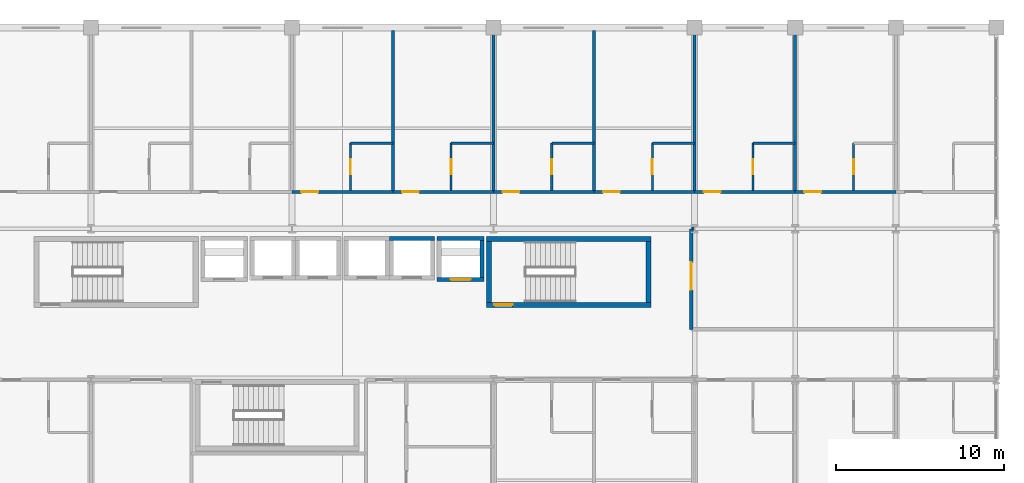
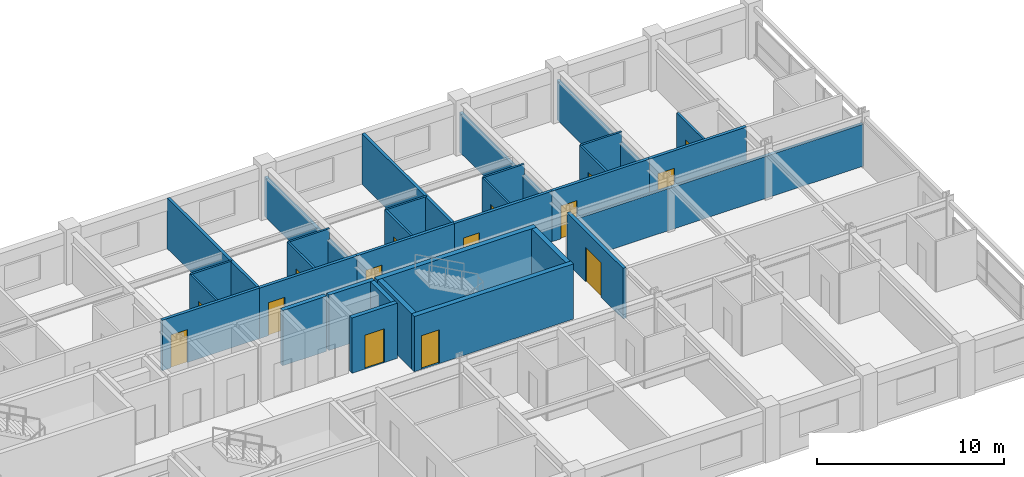
# One storey, part 19 of 22: 32 walls, 15 doors, 15 openings.
"""IFC4 building model written with IfcOpenShell, lengths in metres."""

from ifc_helpers import new_model, si_unit, direction, frame, frame_2d, origin, place, context, subcontext, project, spatial, rectangle, extrude, material, layer, layer_set, type_object, element, fill, save


model = new_model("IFC4")

# Units and contexts
model_context = context("Model", 3, precision=1e-05, world=origin(), true_north=direction((0.0, 1.0)))
body_context = subcontext(model_context, "Body", "Model", "MODEL_VIEW")
ifc_project = project(units=[si_unit("LENGTHUNIT", "METRE"), si_unit("AREAUNIT", "SQUARE_METRE"), si_unit("VOLUMEUNIT", "CUBIC_METRE"), si_unit("PLANEANGLEUNIT", "RADIAN"), si_unit("MASSUNIT", "GRAM", prefix="KILO")], contexts=[model_context])

# Site, building, storey
site_placement = place(None, origin())
site = spatial("IfcSite", under=ifc_project, at=site_placement, CompositionType="ELEMENT")
building_placement = place(site_placement, origin())
building = spatial("IfcBuilding", under=site, at=building_placement, Name="Kaldorvane Square Convention Centre", CompositionType="ELEMENT")
storey_placement = place(building_placement, frame((0.0, 0.0, 31.199996948242188)))
storey = spatial("IfcBuildingStorey", under=building, at=storey_placement, Name="L06", CompositionType="ELEMENT", Elevation=31.199996948242188)

# Wall, opening, door
ifc_material_1 = material(Name="Fire-Rated Gypsum Board on Acoustic Steel Studs", Category="steel")
ifc_layer_1 = layer(ifc_material_1, 0.125)
ifc_layer_set_1 = layer_set([ifc_layer_1], Name="Fire-Rated Gypsum Board on Acoustic Steel Studs")
wall_type_1 = type_object("IfcWallType", Name="WL-BATH-125", PredefinedType="PARTITIONING", material=ifc_layer_set_1)
wall_1_placement = place(storey_placement, frame((57.47999572753906, 107.28999328613281, 0.0), z_axis=(0.0, 0.0, 1.0), x_axis=(0.0, 1.0, 0.0)))
wall_1 = element("IfcWall", 1, at=wall_1_placement, inside=storey, type_object=wall_type_1, Name="En-Suite 606 West Wall", PredefinedType="PARTITIONING", context=body_context, shape_type="SweptSolid", body=[
    extrude(rectangle(XDim=2.8100128173828125, YDim=0.125, at=frame_2d((1.404998779296875, 0.0))), origin(), (0.0, 0.0, 1.0), 3.290008544921875),
])
opening_1_placement = place(wall_1_placement, frame((0.9499969482421875, 0.0, 0.0)))
opening_1 = element("IfcOpeningElement", 2, at=opening_1_placement, cuts=wall_1, Name="Opening ID-12", PredefinedType="OPENING", context=body_context, shape_type="SweptSolid", body=[
    extrude(rectangle(XDim=0.9199981689453125, YDim=2.100006103515625, at=frame_2d((0.459991455078125, 1.0500030517578125))), frame((0.0, 0.0774993896484375, 0.0), z_axis=(0.0, -1.0, 0.0), x_axis=(1.0, 0.0, 0.0)), (0.0, 0.0, 1.0), 0.154998779296875),
])
ifc_material_2 = material(Name="Architectural Solid-Core White Oak")
door_type_1 = type_object("IfcDoorType", Name="DR-BATH-0920X2100", OperationType="SINGLE_SWING_RIGHT", PredefinedType="DOOR", material=ifc_material_2)
door_1_placement = place(opening_1_placement, origin())
door_1 = element("IfcDoor", 3, at=door_1_placement, inside=storey, type_object=door_type_1, Name="En-Suite Bathroom 606 Door", OperationType="SINGLE_SWING_RIGHT", OverallHeight=2.100006103515625, OverallWidth=0.9199981689453125, PredefinedType="DOOR", context=body_context, shape_type="SweptSolid", body=[
    extrude(rectangle(XDim=0.9199981689453125, YDim=2.100006103515625, at=frame_2d((0.459991455078125, 1.0500030517578125))), frame((0.0, 0.024993896484375, 0.0), z_axis=(0.0, -1.0, 0.0), x_axis=(1.0, 0.0, 0.0)), (0.0, 0.0, 1.0), 0.0500030517578125),
])
fill(opening_1, door_1)

# Wall
wall_2_placement = place(storey_placement, frame((57.47999572753906, 110.10000610351562, 0.0), z_axis=(0.0, 0.0, 1.0), x_axis=(1.0, 0.0, 0.0)))
element("IfcWall", 4, at=wall_2_placement, inside=storey, type_object=wall_type_1, Name="En-Suite 606 North Wall", PredefinedType="PARTITIONING", context=body_context, shape_type="SweptSolid", body=[
    extrude(rectangle(XDim=2.5200042724609375, YDim=0.125, at=frame_2d((1.260009765625, 0.0))), origin(), (0.0, 0.0, 1.0), 3.290008544921875),
])

# Wall, opening, door
wall_3_placement = place(storey_placement, frame((63.47999572753906, 107.28999328613281, 0.0), z_axis=(0.0, 0.0, 1.0), x_axis=(0.0, 1.0, 0.0)))
wall_3 = element("IfcWall", 5, at=wall_3_placement, inside=storey, type_object=wall_type_1, Name="En-Suite 607 West Wall", PredefinedType="PARTITIONING", context=body_context, shape_type="SweptSolid", body=[
    extrude(rectangle(XDim=2.8100128173828125, YDim=0.125, at=frame_2d((1.404998779296875, 0.0))), origin(), (0.0, 0.0, 1.0), 3.290008544921875),
])
opening_2_placement = place(wall_3_placement, frame((0.9499969482421875, 0.0, 0.0)))
opening_2 = element("IfcOpeningElement", 6, at=opening_2_placement, cuts=wall_3, Name="Opening ID-12", PredefinedType="OPENING", context=body_context, shape_type="SweptSolid", body=[
    extrude(rectangle(XDim=0.9199981689453125, YDim=2.100006103515625, at=frame_2d((0.459991455078125, 1.0500030517578125))), frame((0.0, 0.0774993896484375, 0.0), z_axis=(0.0, -1.0, 0.0), x_axis=(1.0, 0.0, 0.0)), (0.0, 0.0, 1.0), 0.154998779296875),
])
door_2_placement = place(opening_2_placement, origin())
door_2 = element("IfcDoor", 7, at=door_2_placement, inside=storey, type_object=door_type_1, Name="En-Suite Bathroom 607 Door", OperationType="SINGLE_SWING_RIGHT", OverallHeight=2.100006103515625, OverallWidth=0.9199981689453125, PredefinedType="DOOR", context=body_context, shape_type="SweptSolid", body=[
    extrude(rectangle(XDim=0.9199981689453125, YDim=2.100006103515625, at=frame_2d((0.459991455078125, 1.0500030517578125))), frame((0.0, 0.024993896484375, 0.0), z_axis=(0.0, -1.0, 0.0), x_axis=(1.0, 0.0, 0.0)), (0.0, 0.0, 1.0), 0.0500030517578125),
])
fill(opening_2, door_2)

# Wall
wall_4_placement = place(storey_placement, frame((63.47999572753906, 110.10000610351562, 0.0), z_axis=(0.0, 0.0, 1.0), x_axis=(1.0, 0.0, 0.0)))
element("IfcWall", 8, at=wall_4_placement, inside=storey, type_object=wall_type_1, Name="En-Suite 607 North Wall", PredefinedType="PARTITIONING", context=body_context, shape_type="SweptSolid", body=[
    extrude(rectangle(XDim=2.5200042724609375, YDim=0.125, at=frame_2d((1.260009765625, 0.0))), origin(), (0.0, 0.0, 1.0), 3.290008544921875),
])

# Wall, opening, door
wall_5_placement = place(storey_placement, frame((69.47999572753906, 107.28999328613281, 0.0), z_axis=(0.0, 0.0, 1.0), x_axis=(0.0, 1.0, 0.0)))
wall_5 = element("IfcWall", 9, at=wall_5_placement, inside=storey, type_object=wall_type_1, Name="En-Suite 608 West Wall", PredefinedType="PARTITIONING", context=body_context, shape_type="SweptSolid", body=[
    extrude(rectangle(XDim=2.8100128173828125, YDim=0.125, at=frame_2d((1.404998779296875, 0.0))), origin(), (0.0, 0.0, 1.0), 3.290008544921875),
])
opening_3_placement = place(wall_5_placement, frame((0.9499969482421875, 0.0, 0.0)))
opening_3 = element("IfcOpeningElement", 10, at=opening_3_placement, cuts=wall_5, Name="Opening ID-12", PredefinedType="OPENING", context=body_context, shape_type="SweptSolid", body=[
    extrude(rectangle(XDim=0.9199981689453125, YDim=2.100006103515625, at=frame_2d((0.459991455078125, 1.0500030517578125))), frame((0.0, 0.0774993896484375, 0.0), z_axis=(0.0, -1.0, 0.0), x_axis=(1.0, 0.0, 0.0)), (0.0, 0.0, 1.0), 0.154998779296875),
])
door_3_placement = place(opening_3_placement, origin())
door_3 = element("IfcDoor", 11, at=door_3_placement, inside=storey, type_object=door_type_1, Name="En-Suite Bathroom 608 Door", OperationType="SINGLE_SWING_RIGHT", OverallHeight=2.100006103515625, OverallWidth=0.9199981689453125, PredefinedType="DOOR", context=body_context, shape_type="SweptSolid", body=[
    extrude(rectangle(XDim=0.9199981689453125, YDim=2.100006103515625, at=frame_2d((0.459991455078125, 1.0500030517578125))), frame((0.0, 0.024993896484375, 0.0), z_axis=(0.0, -1.0, 0.0), x_axis=(1.0, 0.0, 0.0)), (0.0, 0.0, 1.0), 0.0500030517578125),
])
fill(opening_3, door_3)

# Wall
wall_6_placement = place(storey_placement, frame((69.47999572753906, 110.10000610351562, 0.0), z_axis=(0.0, 0.0, 1.0), x_axis=(1.0, 0.0, 0.0)))
element("IfcWall", 12, at=wall_6_placement, inside=storey, type_object=wall_type_1, Name="En-Suite 608 North Wall", PredefinedType="PARTITIONING", context=body_context, shape_type="SweptSolid", body=[
    extrude(rectangle(XDim=2.5200042724609375, YDim=0.125, at=frame_2d((1.260009765625, 0.0))), origin(), (0.0, 0.0, 1.0), 3.290008544921875),
])

# Wall, opening, door
wall_7_placement = place(storey_placement, frame((75.47999572753906, 107.28999328613281, 0.0), z_axis=(0.0, 0.0, 1.0), x_axis=(0.0, 1.0, 0.0)))
wall_7 = element("IfcWall", 13, at=wall_7_placement, inside=storey, type_object=wall_type_1, Name="En-Suite 609 West Wall", PredefinedType="PARTITIONING", context=body_context, shape_type="SweptSolid", body=[
    extrude(rectangle(XDim=2.8100128173828125, YDim=0.125, at=frame_2d((1.404998779296875, 0.0))), origin(), (0.0, 0.0, 1.0), 3.290008544921875),
])
opening_4_placement = place(wall_7_placement, frame((0.9499969482421875, 0.0, 0.0)))
opening_4 = element("IfcOpeningElement", 14, at=opening_4_placement, cuts=wall_7, Name="Opening ID-12", PredefinedType="OPENING", context=body_context, shape_type="SweptSolid", body=[
    extrude(rectangle(XDim=0.9199981689453125, YDim=2.100006103515625, at=frame_2d((0.459991455078125, 1.0500030517578125))), frame((0.0, 0.0774993896484375, 0.0), z_axis=(0.0, -1.0, 0.0), x_axis=(1.0, 0.0, 0.0)), (0.0, 0.0, 1.0), 0.154998779296875),
])
door_4_placement = place(opening_4_placement, origin())
door_4 = element("IfcDoor", 15, at=door_4_placement, inside=storey, type_object=door_type_1, Name="En-Suite Bathroom 609 Door", OperationType="SINGLE_SWING_RIGHT", OverallHeight=2.100006103515625, OverallWidth=0.9199981689453125, PredefinedType="DOOR", context=body_context, shape_type="SweptSolid", body=[
    extrude(rectangle(XDim=0.9199981689453125, YDim=2.100006103515625, at=frame_2d((0.459991455078125, 1.0500030517578125))), frame((0.0, 0.024993896484375, 0.0), z_axis=(0.0, -1.0, 0.0), x_axis=(1.0, 0.0, 0.0)), (0.0, 0.0, 1.0), 0.0500030517578125),
])
fill(opening_4, door_4)

# Wall
wall_8_placement = place(storey_placement, frame((75.47999572753906, 110.10000610351562, 0.0), z_axis=(0.0, 0.0, 1.0), x_axis=(1.0, 0.0, 0.0)))
element("IfcWall", 16, at=wall_8_placement, inside=storey, type_object=wall_type_1, Name="En-Suite 609 North Wall", PredefinedType="PARTITIONING", context=body_context, shape_type="SweptSolid", body=[
    extrude(rectangle(XDim=2.5200042724609375, YDim=0.125, at=frame_2d((1.260009765625, 0.0))), origin(), (0.0, 0.0, 1.0), 3.290008544921875),
])

# Wall, opening, door
wall_9_placement = place(storey_placement, frame((81.47999572753906, 107.28999328613281, 0.0), z_axis=(0.0, 0.0, 1.0), x_axis=(0.0, 1.0, 0.0)))
wall_9 = element("IfcWall", 17, at=wall_9_placement, inside=storey, type_object=wall_type_1, Name="En-Suite 610 West Wall", PredefinedType="PARTITIONING", context=body_context, shape_type="SweptSolid", body=[
    extrude(rectangle(XDim=2.8100128173828125, YDim=0.125, at=frame_2d((1.404998779296875, 0.0))), origin(), (0.0, 0.0, 1.0), 3.290008544921875),
])
opening_5_placement = place(wall_9_placement, frame((0.9499969482421875, 0.0, 0.0)))
opening_5 = element("IfcOpeningElement", 18, at=opening_5_placement, cuts=wall_9, Name="Opening ID-12", PredefinedType="OPENING", context=body_context, shape_type="SweptSolid", body=[
    extrude(rectangle(XDim=0.9199981689453125, YDim=2.100006103515625, at=frame_2d((0.459991455078125, 1.0500030517578125))), frame((0.0, 0.0774993896484375, 0.0), z_axis=(0.0, -1.0, 0.0), x_axis=(1.0, 0.0, 0.0)), (0.0, 0.0, 1.0), 0.154998779296875),
])
door_5_placement = place(opening_5_placement, origin())
door_5 = element("IfcDoor", 19, at=door_5_placement, inside=storey, type_object=door_type_1, Name="En-Suite Bathroom 610 Door", OperationType="SINGLE_SWING_RIGHT", OverallHeight=2.100006103515625, OverallWidth=0.9199981689453125, PredefinedType="DOOR", context=body_context, shape_type="SweptSolid", body=[
    extrude(rectangle(XDim=0.9199981689453125, YDim=2.100006103515625, at=frame_2d((0.459991455078125, 1.0500030517578125))), frame((0.0, 0.024993896484375, 0.0), z_axis=(0.0, -1.0, 0.0), x_axis=(1.0, 0.0, 0.0)), (0.0, 0.0, 1.0), 0.0500030517578125),
])
fill(opening_5, door_5)

# Wall
wall_10_placement = place(storey_placement, frame((81.47999572753906, 110.10000610351562, 0.0), z_axis=(0.0, 0.0, 1.0), x_axis=(1.0, 0.0, 0.0)))
element("IfcWall", 20, at=wall_10_placement, inside=storey, type_object=wall_type_1, Name="En-Suite 610 North Wall", PredefinedType="PARTITIONING", context=body_context, shape_type="SweptSolid", body=[
    extrude(rectangle(XDim=2.5200042724609375, YDim=0.125, at=frame_2d((1.260009765625, 0.0))), origin(), (0.0, 0.0, 1.0), 3.290008544921875),
])

# Wall, opening, door
wall_11_placement = place(storey_placement, frame((87.47999572753906, 107.28999328613281, 0.0), z_axis=(0.0, 0.0, 1.0), x_axis=(0.0, 1.0, 0.0)))
wall_11 = element("IfcWall", 21, at=wall_11_placement, inside=storey, type_object=wall_type_1, Name="En-Suite 611 West Wall", PredefinedType="PARTITIONING", context=body_context, shape_type="SweptSolid", body=[
    extrude(rectangle(XDim=2.8100128173828125, YDim=0.125, at=frame_2d((1.404998779296875, 0.0))), origin(), (0.0, 0.0, 1.0), 3.290008544921875),
])
opening_6_placement = place(wall_11_placement, frame((0.9499969482421875, 0.0, 0.0)))
opening_6 = element("IfcOpeningElement", 22, at=opening_6_placement, cuts=wall_11, Name="Opening ID-12", PredefinedType="OPENING", context=body_context, shape_type="SweptSolid", body=[
    extrude(rectangle(XDim=0.9199981689453125, YDim=2.100006103515625, at=frame_2d((0.459991455078125, 1.0500030517578125))), frame((0.0, 0.0774993896484375, 0.0), z_axis=(0.0, -1.0, 0.0), x_axis=(1.0, 0.0, 0.0)), (0.0, 0.0, 1.0), 0.154998779296875),
])
door_6_placement = place(opening_6_placement, origin())
door_6 = element("IfcDoor", 23, at=door_6_placement, inside=storey, type_object=door_type_1, Name="En-Suite Bathroom 611 Door", OperationType="SINGLE_SWING_RIGHT", OverallHeight=2.100006103515625, OverallWidth=0.9199981689453125, PredefinedType="DOOR", context=body_context, shape_type="SweptSolid", body=[
    extrude(rectangle(XDim=0.9199981689453125, YDim=2.100006103515625, at=frame_2d((0.459991455078125, 1.0500030517578125))), frame((0.0, 0.024993896484375, 0.0), z_axis=(0.0, -1.0, 0.0), x_axis=(1.0, 0.0, 0.0)), (0.0, 0.0, 1.0), 0.0500030517578125),
])
fill(opening_6, door_6)

# Wall
ifc_layer_2 = layer(ifc_material_1, 0.1999969482421875)
ifc_layer_set_2 = layer_set([ifc_layer_2], Name="Fire-Rated Gypsum Board on Acoustic Steel Studs")
wall_type_2 = type_object("IfcWallType", Name="WL-CORR-200", PredefinedType="PARTITIONING", material=ifc_layer_set_2)
wall_12_placement = place(storey_placement, frame((95.91499328613281, 105.0, 0.0), z_axis=(0.0, 0.0, 1.0), x_axis=(-1.0, 0.0, 0.0)))
element("IfcWall", 24, at=wall_12_placement, inside=storey, type_object=wall_type_2, Name="East Square View Lounge (L06) N Wall", PredefinedType="PARTITIONING", context=body_context, shape_type="SweptSolid", body=[
    extrude(rectangle(XDim=18.114990234375, YDim=0.1999969482421875, at=frame_2d((9.0574951171875, 0.0))), origin(), (0.0, 0.0, 1.0), 2.7360076904296875),
])

# Wall, opening, door
wall_13_placement = place(storey_placement, frame((77.80000305175781, 105.0, 0.0), z_axis=(0.0, 0.0, 1.0), x_axis=(0.0, -1.0, 0.0)))
wall_13 = element("IfcWall", 25, at=wall_13_placement, inside=storey, type_object=wall_type_2, Name="East Square View Lounge (L06) W Wall", PredefinedType="PARTITIONING", context=body_context, shape_type="SweptSolid", body=[
    extrude(rectangle(XDim=6.0, YDim=0.1999969482421875, at=frame_2d((3.0, 0.0))), origin(), (0.0, 0.0, 1.0), 3.290008544921875),
])
opening_7_placement = place(wall_13_placement, frame((2.0, 0.0, 0.0)))
opening_7 = element("IfcOpeningElement", 26, at=opening_7_placement, cuts=wall_13, Name="Opening ID-16", PredefinedType="OPENING", context=body_context, shape_type="SweptSolid", body=[
    extrude(rectangle(XDim=1.649993896484375, YDim=2.25, at=frame_2d((0.8249969482421875, 1.125))), frame((0.0, 0.114990234375, 0.0), z_axis=(0.0, -1.0, 0.0), x_axis=(1.0, 0.0, 0.0)), (0.0, 0.0, 1.0), 0.2299957275390625),
])
ifc_material_3 = material(Name="Acoustic Laminated Glass in Aluminum Frame", Category="aluminium")
door_type_2 = type_object("IfcDoorType", Name="DR-GL-1650X2250", OperationType="DOUBLE_DOOR_SINGLE_SWING", PredefinedType="DOOR", material=ifc_material_3)
door_7_placement = place(opening_7_placement, origin())
door_7 = element("IfcDoor", 27, at=door_7_placement, inside=storey, type_object=door_type_2, Name="East Square View Lounge (L06) Door 1", OperationType="DOUBLE_DOOR_SINGLE_SWING", OverallHeight=2.25, OverallWidth=1.649993896484375, PredefinedType="DOOR", context=body_context, shape_type="SweptSolid", body=[
    extrude(rectangle(XDim=1.649993896484375, YDim=2.25, at=frame_2d((0.8249969482421875, 1.125))), frame((0.0, 0.024993896484375, 0.0), z_axis=(0.0, -1.0, 0.0), x_axis=(1.0, 0.0, 0.0)), (0.0, 0.0, 1.0), 0.0500030517578125),
])
fill(opening_7, door_7)

ifc_material_4 = material(Name="Concrete f'c = 55 MPa (Normalweight)", Category="concrete")
ifc_layer_3 = layer(ifc_material_4, 0.3000030517578125)
ifc_layer_set_3 = layer_set([ifc_layer_3], Name="Concrete f'c = 55 MPa (Normalweight)")
wall_type_3 = type_object("IfcWallType", Name="WL-SHAFT-300", PredefinedType="SHEAR", material=ifc_layer_set_3)
wall_14_placement = place(storey_placement, frame((65.60000610351562, 100.46000671386719, 0.0), z_axis=(0.0, 0.0, 1.0), x_axis=(1.0, 0.0, 0.0)))
wall_14 = element("IfcWall", 28, at=wall_14_placement, inside=storey, type_object=wall_type_3, Name="Core Enclosure Wall stair:ST-T2-S (L06)", PredefinedType="SHEAR", context=body_context, shape_type="SweptSolid", body=[
    extrude(rectangle(XDim=9.79998779296875, YDim=0.3000030517578125, at=frame_2d((4.899993896484375, 0.0))), origin(), (0.0, 0.0, 1.0), 3.600006103515625),
])
opening_8_placement = place(wall_14_placement, frame((0.4499969482421875, 0.0, 0.0)))
opening_8 = element("IfcOpeningElement", 29, at=opening_8_placement, cuts=wall_14, Name="Opening FD90-S1", PredefinedType="OPENING", context=body_context, shape_type="SweptSolid", body=[
    extrude(rectangle(XDim=1.100006103515625, YDim=2.1999969482421875, at=frame_2d((0.5500030517578125, 1.100006103515625))), frame((0.0, 0.165008544921875, 0.0), z_axis=(0.0, -1.0, 0.0), x_axis=(1.0, 0.0, 0.0)), (0.0, 0.0, 1.0), 0.3300018310546875),
])
ifc_material_5 = material(Name="Fire-Rated Hollow Metal Steel", Category="steel")
door_type_3 = type_object("IfcDoorType", Name="DR-STAIR-1100", OperationType="SINGLE_SWING_RIGHT", PredefinedType="DOOR", material=ifc_material_5)
door_8_placement = place(opening_8_placement, origin())
door_8 = element("IfcDoor", 30, at=door_8_placement, inside=storey, type_object=door_type_3, Name="Tower Exit Stair T2 Fire Door (L06)", OperationType="SINGLE_SWING_RIGHT", OverallHeight=2.1999969482421875, OverallWidth=1.100006103515625, PredefinedType="DOOR", context=body_context, shape_type="SweptSolid", body=[
    extrude(rectangle(XDim=1.100006103515625, YDim=2.1999969482421875, at=frame_2d((0.5500030517578125, 1.100006103515625))), frame((0.0, 0.024993896484375, 0.0), z_axis=(0.0, -1.0, 0.0), x_axis=(1.0, 0.0, 0.0)), (0.0, 0.0, 1.0), 0.0500030517578125),
])
fill(opening_8, door_8)

# Walls
wall_15_placement = place(storey_placement, frame((75.39999389648438, 104.39999389648438, 0.0), z_axis=(0.0, 0.0, 1.0), x_axis=(-1.0, 0.0, 0.0)))
element("IfcWall", 31, at=wall_15_placement, inside=storey, type_object=wall_type_3, Name="Core Enclosure Wall stair:ST-T2-N (L06)", PredefinedType="SHEAR", context=body_context, shape_type="SweptSolid", body=[
    extrude(rectangle(XDim=9.79998779296875, YDim=0.3000030517578125, at=frame_2d((4.899993896484375, 0.0))), origin(), (0.0, 0.0, 1.0), 3.600006103515625),
])
for number, where, z_axis, x_axis, name in (
    (32, (65.75, 104.25, 0.0), (0.0, 0.0, 1.0), (0.0, -1.0, 0.0), "Core Enclosure Wall stair:ST-T2-W (L06)"),
    (33, (75.25, 100.61000061035156, 0.0), (0.0, 0.0, 1.0), (0.0, 1.0, 0.0), "Core Enclosure Wall stair:ST-T2-E (L06)"),
):
    element("IfcWall", number, at=place(storey_placement, frame(where, z_axis=z_axis, x_axis=x_axis)), inside=storey, type_object=wall_type_3, Name=name, PredefinedType="SHEAR", context=body_context, shape_type="SweptSolid", body=[
        extrude(rectangle(XDim=3.6399993896484375, YDim=0.3000030517578125, at=frame_2d((1.82000732421875, 0.0))), origin(), (0.0, 0.0, 1.0), 3.600006103515625),
    ])

# Wall, opening, door
wall_16_placement = place(storey_placement, frame((62.649993896484375, 101.97500610351562, 0.0), z_axis=(0.0, 0.0, 1.0), x_axis=(1.0, 0.0, 0.0)))
wall_16 = element("IfcWall", 34, at=wall_16_placement, inside=storey, type_object=wall_type_3, Name="Core Enclosure Wall lift:FSAE-02-S (L06)", PredefinedType="SHEAR", context=body_context, shape_type="SweptSolid", body=[
    extrude(rectangle(XDim=2.8000030517578125, YDim=0.25, at=frame_2d((1.399993896484375, 0.0))), origin(), (0.0, 0.0, 1.0), 3.600006103515625),
])
opening_9_placement = place(wall_16_placement, frame((0.8000030517578125, 0.0, 0.0)))
opening_9 = element("IfcOpeningElement", 35, at=opening_9_placement, cuts=wall_16, Name="Opening LD-02", PredefinedType="OPENING", context=body_context, shape_type="SweptSolid", body=[
    extrude(rectangle(XDim=1.1999969482421875, YDim=2.1999969482421875, at=frame_2d((0.600006103515625, 1.100006103515625))), frame((0.0, 0.1399993896484375, 0.0), z_axis=(0.0, -1.0, 0.0), x_axis=(1.0, 0.0, 0.0)), (0.0, 0.0, 1.0), 0.279998779296875),
])
ifc_material_6 = material(Name="Stainless Steel Elevator Door Assembly", Category="steel")
door_type_4 = type_object("IfcDoorType", Name="DR-LIFT-1200", OperationType="DOUBLE_DOOR_SLIDING", PredefinedType="DOOR", material=ifc_material_6)
door_9_placement = place(opening_9_placement, origin())
door_9 = element("IfcDoor", 36, at=door_9_placement, inside=storey, type_object=door_type_4, Name="Elevator Landing Door FSAE-02 (L06)", OperationType="DOUBLE_DOOR_SLIDING", OverallHeight=2.1999969482421875, OverallWidth=1.1999969482421875, PredefinedType="DOOR", context=body_context, shape_type="SweptSolid", body=[
    extrude(rectangle(XDim=1.1999969482421875, YDim=2.1999969482421875, at=frame_2d((0.600006103515625, 1.100006103515625))), frame((0.0, 0.024993896484375, 0.0), z_axis=(0.0, -1.0, 0.0), x_axis=(1.0, 0.0, 0.0)), (0.0, 0.0, 1.0), 0.0500030517578125),
])
fill(opening_9, door_9)

# Walls
wall_17_placement = place(storey_placement, frame((65.44999694824219, 104.42500305175781, 0.0), z_axis=(0.0, 0.0, 1.0), x_axis=(-1.0, 0.0, 0.0)))
element("IfcWall", 37, at=wall_17_placement, inside=storey, type_object=wall_type_3, Name="Core Enclosure Wall lift:FSAE-02-N (L06)", PredefinedType="SHEAR", context=body_context, shape_type="SweptSolid", body=[
    extrude(rectangle(XDim=2.8000030517578125, YDim=0.25, at=frame_2d((1.399993896484375, 0.0))), origin(), (0.0, 0.0, 1.0), 3.600006103515625),
])
wall_18_placement = place(storey_placement, frame((65.32499694824219, 102.10000610351562, 0.0), z_axis=(0.0, 0.0, 1.0), x_axis=(0.0, 1.0, 0.0)))
element("IfcWall", 38, at=wall_18_placement, inside=storey, type_object=wall_type_3, Name="Core Enclosure Wall lift:FSAE-02-E (L06)", PredefinedType="SHEAR", context=body_context, shape_type="SweptSolid", body=[
    extrude(rectangle(XDim=2.1999969482421875, YDim=0.25, at=frame_2d((1.100006103515625, 0.0))), origin(), (0.0, 0.0, 1.0), 3.600006103515625),
])
wall_19_placement = place(storey_placement, frame((62.5, 104.42500305175781, 0.0), z_axis=(0.0, 0.0, 1.0), x_axis=(-1.0, 0.0, 0.0)))
element("IfcWall", 39, at=wall_19_placement, inside=storey, type_object=wall_type_3, Name="Core Enclosure Wall lift:EL-P4-N (L06)", PredefinedType="SHEAR", context=body_context, shape_type="SweptSolid", body=[
    extrude(rectangle(XDim=2.6999969482421875, YDim=0.25, at=frame_2d((1.350006103515625, 0.0))), origin(), (0.0, 0.0, 1.0), 3.600006103515625),
])

# Wall, opening, door
ifc_layer_4 = layer(ifc_material_1, 0.17999267578125)
ifc_layer_set_4 = layer_set([ifc_layer_4], Name="Fire-Rated Gypsum Board on Acoustic Steel Studs")
wall_type_4 = type_object("IfcWallType", Name="WL-UNIT-180", PredefinedType="PARTITIONING", material=ifc_layer_set_4)
wall_20_placement = place(storey_placement, frame((54.0, 107.19999694824219, 0.0), z_axis=(0.0, 0.0, 1.0), x_axis=(1.0, 0.0, 0.0)))
wall_20 = element("IfcWall", 40, at=wall_20_placement, inside=storey, type_object=wall_type_4, Name="Hotel Guest Room 606 Corridor Wall", PredefinedType="PARTITIONING", context=body_context, shape_type="SweptSolid", body=[
    extrude(rectangle(XDim=6.0, YDim=0.17999267578125, at=frame_2d((3.0, 0.0))), origin(), (0.0, 0.0, 1.0), 3.290008544921875),
])
opening_10_placement = place(wall_20_placement, frame((0.5500030517578125, 0.0, 0.0)))
opening_10 = element("IfcOpeningElement", 41, at=opening_10_placement, cuts=wall_20, Name="Opening ID-10", PredefinedType="OPENING", context=body_context, shape_type="SweptSolid", body=[
    extrude(rectangle(XDim=1.0, YDim=2.149993896484375, at=frame_2d((0.5, 1.0749969482421875))), frame((0.0, 0.1049957275390625, 0.0), z_axis=(0.0, -1.0, 0.0), x_axis=(1.0, 0.0, 0.0)), (0.0, 0.0, 1.0), 0.209991455078125),
])
door_type_5 = type_object("IfcDoorType", Name="DR-GUEST-1000X2150", OperationType="SINGLE_SWING_LEFT", PredefinedType="DOOR", material=ifc_material_2)
door_10_placement = place(opening_10_placement, origin())
door_10 = element("IfcDoor", 42, at=door_10_placement, inside=storey, type_object=door_type_5, Name="Hotel Guest Room 606 Entry Door", OperationType="SINGLE_SWING_LEFT", OverallHeight=2.149993896484375, OverallWidth=1.0, PredefinedType="DOOR", context=body_context, shape_type="SweptSolid", body=[
    extrude(rectangle(XDim=1.0, YDim=2.149993896484375, at=frame_2d((0.5, 1.0749969482421875))), frame((0.0, 0.024993896484375, 0.0), z_axis=(0.0, -1.0, 0.0), x_axis=(1.0, 0.0, 0.0)), (0.0, 0.0, 1.0), 0.0500030517578125),
])
fill(opening_10, door_10)

# Wall
wall_21_placement = place(storey_placement, frame((60.0, 107.19999694824219, 0.0), z_axis=(0.0, 0.0, 1.0), x_axis=(0.0, 1.0, 0.0)))
element("IfcWall", 43, at=wall_21_placement, inside=storey, type_object=wall_type_4, Name="Guestroom Demising Wall 606", PredefinedType="PARTITIONING", context=body_context, shape_type="SweptSolid", body=[
    extrude(rectangle(XDim=9.625, YDim=0.17999267578125, at=frame_2d((4.8125, 0.0))), origin(), (0.0, 0.0, 1.0), 3.290008544921875),
])

# Wall, opening, door
wall_22_placement = place(storey_placement, frame((60.0, 107.19999694824219, 0.0), z_axis=(0.0, 0.0, 1.0), x_axis=(1.0, 0.0, 0.0)))
wall_22 = element("IfcWall", 44, at=wall_22_placement, inside=storey, type_object=wall_type_4, Name="Hotel Guest Room 607 Corridor Wall", PredefinedType="PARTITIONING", context=body_context, shape_type="SweptSolid", body=[
    extrude(rectangle(XDim=6.0, YDim=0.17999267578125, at=frame_2d((3.0, 0.0))), origin(), (0.0, 0.0, 1.0), 3.290008544921875),
])
opening_11_placement = place(wall_22_placement, frame((0.5500030517578125, 0.0, 0.0)))
opening_11 = element("IfcOpeningElement", 45, at=opening_11_placement, cuts=wall_22, Name="Opening ID-10", PredefinedType="OPENING", context=body_context, shape_type="SweptSolid", body=[
    extrude(rectangle(XDim=1.0, YDim=2.149993896484375, at=frame_2d((0.5, 1.0749969482421875))), frame((0.0, 0.1049957275390625, 0.0), z_axis=(0.0, -1.0, 0.0), x_axis=(1.0, 0.0, 0.0)), (0.0, 0.0, 1.0), 0.209991455078125),
])
door_11_placement = place(opening_11_placement, origin())
door_11 = element("IfcDoor", 46, at=door_11_placement, inside=storey, type_object=door_type_5, Name="Hotel Guest Room 607 Entry Door", OperationType="SINGLE_SWING_LEFT", OverallHeight=2.149993896484375, OverallWidth=1.0, PredefinedType="DOOR", context=body_context, shape_type="SweptSolid", body=[
    extrude(rectangle(XDim=1.0, YDim=2.149993896484375, at=frame_2d((0.5, 1.0749969482421875))), frame((0.0, 0.024993896484375, 0.0), z_axis=(0.0, -1.0, 0.0), x_axis=(1.0, 0.0, 0.0)), (0.0, 0.0, 1.0), 0.0500030517578125),
])
fill(opening_11, door_11)

# Wall
wall_23_placement = place(storey_placement, frame((66.0, 107.19999694824219, 0.0), z_axis=(0.0, 0.0, 1.0), x_axis=(0.0, 1.0, 0.0)))
element("IfcWall", 47, at=wall_23_placement, inside=storey, type_object=wall_type_4, Name="Guestroom Demising Wall 607", PredefinedType="PARTITIONING", context=body_context, shape_type="SweptSolid", body=[
    extrude(rectangle(XDim=9.625, YDim=0.17999267578125, at=frame_2d((4.8125, 0.0))), origin(), (0.0, 0.0, 1.0), 2.589996337890625),
])

# Wall, opening, door
wall_24_placement = place(storey_placement, frame((66.0, 107.19999694824219, 0.0), z_axis=(0.0, 0.0, 1.0), x_axis=(1.0, 0.0, 0.0)))
wall_24 = element("IfcWall", 48, at=wall_24_placement, inside=storey, type_object=wall_type_4, Name="Hotel Guest Room 608 Corridor Wall", PredefinedType="PARTITIONING", context=body_context, shape_type="SweptSolid", body=[
    extrude(rectangle(XDim=6.0, YDim=0.17999267578125, at=frame_2d((3.0, 0.0))), origin(), (0.0, 0.0, 1.0), 3.290008544921875),
])
opening_12_placement = place(wall_24_placement, frame((0.5500030517578125, 0.0, 0.0)))
opening_12 = element("IfcOpeningElement", 49, at=opening_12_placement, cuts=wall_24, Name="Opening ID-10", PredefinedType="OPENING", context=body_context, shape_type="SweptSolid", body=[
    extrude(rectangle(XDim=1.0, YDim=2.149993896484375, at=frame_2d((0.5, 1.0749969482421875))), frame((0.0, 0.1049957275390625, 0.0), z_axis=(0.0, -1.0, 0.0), x_axis=(1.0, 0.0, 0.0)), (0.0, 0.0, 1.0), 0.209991455078125),
])
door_12_placement = place(opening_12_placement, origin())
door_12 = element("IfcDoor", 50, at=door_12_placement, inside=storey, type_object=door_type_5, Name="Hotel Guest Room 608 Entry Door", OperationType="SINGLE_SWING_LEFT", OverallHeight=2.149993896484375, OverallWidth=1.0, PredefinedType="DOOR", context=body_context, shape_type="SweptSolid", body=[
    extrude(rectangle(XDim=1.0, YDim=2.149993896484375, at=frame_2d((0.5, 1.0749969482421875))), frame((0.0, 0.024993896484375, 0.0), z_axis=(0.0, -1.0, 0.0), x_axis=(1.0, 0.0, 0.0)), (0.0, 0.0, 1.0), 0.0500030517578125),
])
fill(opening_12, door_12)

# Wall
wall_25_placement = place(storey_placement, frame((72.0, 107.19999694824219, 0.0), z_axis=(0.0, 0.0, 1.0), x_axis=(0.0, 1.0, 0.0)))
element("IfcWall", 51, at=wall_25_placement, inside=storey, type_object=wall_type_4, Name="Guestroom Demising Wall 608", PredefinedType="PARTITIONING", context=body_context, shape_type="SweptSolid", body=[
    extrude(rectangle(XDim=9.625, YDim=0.17999267578125, at=frame_2d((4.8125, 0.0))), origin(), (0.0, 0.0, 1.0), 3.290008544921875),
])

# Wall, opening, door
wall_26_placement = place(storey_placement, frame((72.0, 107.19999694824219, 0.0), z_axis=(0.0, 0.0, 1.0), x_axis=(1.0, 0.0, 0.0)))
wall_26 = element("IfcWall", 52, at=wall_26_placement, inside=storey, type_object=wall_type_4, Name="Hotel Guest Room 609 Corridor Wall", PredefinedType="PARTITIONING", context=body_context, shape_type="SweptSolid", body=[
    extrude(rectangle(XDim=6.0, YDim=0.17999267578125, at=frame_2d((3.0, 0.0))), origin(), (0.0, 0.0, 1.0), 3.290008544921875),
])
opening_13_placement = place(wall_26_placement, frame((0.5500030517578125, 0.0, 0.0)))
opening_13 = element("IfcOpeningElement", 53, at=opening_13_placement, cuts=wall_26, Name="Opening ID-10", PredefinedType="OPENING", context=body_context, shape_type="SweptSolid", body=[
    extrude(rectangle(XDim=1.0, YDim=2.149993896484375, at=frame_2d((0.5, 1.0749969482421875))), frame((0.0, 0.1049957275390625, 0.0), z_axis=(0.0, -1.0, 0.0), x_axis=(1.0, 0.0, 0.0)), (0.0, 0.0, 1.0), 0.209991455078125),
])
door_13_placement = place(opening_13_placement, origin())
door_13 = element("IfcDoor", 54, at=door_13_placement, inside=storey, type_object=door_type_5, Name="Hotel Guest Room 609 Entry Door", OperationType="SINGLE_SWING_LEFT", OverallHeight=2.149993896484375, OverallWidth=1.0, PredefinedType="DOOR", context=body_context, shape_type="SweptSolid", body=[
    extrude(rectangle(XDim=1.0, YDim=2.149993896484375, at=frame_2d((0.5, 1.0749969482421875))), frame((0.0, 0.024993896484375, 0.0), z_axis=(0.0, -1.0, 0.0), x_axis=(1.0, 0.0, 0.0)), (0.0, 0.0, 1.0), 0.0500030517578125),
])
fill(opening_13, door_13)

# Wall
wall_27_placement = place(storey_placement, frame((78.0, 107.19999694824219, 0.0), z_axis=(0.0, 0.0, 1.0), x_axis=(0.0, 1.0, 0.0)))
element("IfcWall", 55, at=wall_27_placement, inside=storey, type_object=wall_type_4, Name="Guestroom Demising Wall 609", PredefinedType="PARTITIONING", context=body_context, shape_type="SweptSolid", body=[
    extrude(rectangle(XDim=9.625, YDim=0.17999267578125, at=frame_2d((4.8125, 0.0))), origin(), (0.0, 0.0, 1.0), 2.589996337890625),
])

# Wall, opening, door
wall_28_placement = place(storey_placement, frame((78.0, 107.19999694824219, 0.0), z_axis=(0.0, 0.0, 1.0), x_axis=(1.0, 0.0, 0.0)))
wall_28 = element("IfcWall", 56, at=wall_28_placement, inside=storey, type_object=wall_type_4, Name="Hotel Guest Room 610 Corridor Wall", PredefinedType="PARTITIONING", context=body_context, shape_type="SweptSolid", body=[
    extrude(rectangle(XDim=6.0, YDim=0.17999267578125, at=frame_2d((3.0, 0.0))), origin(), (0.0, 0.0, 1.0), 3.290008544921875),
])
opening_14_placement = place(wall_28_placement, frame((0.5500030517578125, 0.0, 0.0)))
opening_14 = element("IfcOpeningElement", 57, at=opening_14_placement, cuts=wall_28, Name="Opening ID-10", PredefinedType="OPENING", context=body_context, shape_type="SweptSolid", body=[
    extrude(rectangle(XDim=1.0, YDim=2.149993896484375, at=frame_2d((0.5, 1.0749969482421875))), frame((0.0, 0.1049957275390625, 0.0), z_axis=(0.0, -1.0, 0.0), x_axis=(1.0, 0.0, 0.0)), (0.0, 0.0, 1.0), 0.209991455078125),
])
door_14_placement = place(opening_14_placement, origin())
door_14 = element("IfcDoor", 58, at=door_14_placement, inside=storey, type_object=door_type_5, Name="Hotel Guest Room 610 Entry Door", OperationType="SINGLE_SWING_LEFT", OverallHeight=2.149993896484375, OverallWidth=1.0, PredefinedType="DOOR", context=body_context, shape_type="SweptSolid", body=[
    extrude(rectangle(XDim=1.0, YDim=2.149993896484375, at=frame_2d((0.5, 1.0749969482421875))), frame((0.0, 0.024993896484375, 0.0), z_axis=(0.0, -1.0, 0.0), x_axis=(1.0, 0.0, 0.0)), (0.0, 0.0, 1.0), 0.0500030517578125),
])
fill(opening_14, door_14)

# Wall
wall_29_placement = place(storey_placement, frame((84.0, 107.19999694824219, 0.0), z_axis=(0.0, 0.0, 1.0), x_axis=(0.0, 1.0, 0.0)))
element("IfcWall", 59, at=wall_29_placement, inside=storey, type_object=wall_type_4, Name="Guestroom Demising Wall 610", PredefinedType="PARTITIONING", context=body_context, shape_type="SweptSolid", body=[
    extrude(rectangle(XDim=9.625, YDim=0.17999267578125, at=frame_2d((4.8125, 0.0))), origin(), (0.0, 0.0, 1.0), 2.589996337890625),
])

# Wall, opening, door
wall_30_placement = place(storey_placement, frame((84.0, 107.19999694824219, 0.0), z_axis=(0.0, 0.0, 1.0), x_axis=(1.0, 0.0, 0.0)))
wall_30 = element("IfcWall", 60, at=wall_30_placement, inside=storey, type_object=wall_type_4, Name="Hotel Guest Room 611 Corridor Wall", PredefinedType="PARTITIONING", context=body_context, shape_type="SweptSolid", body=[
    extrude(rectangle(XDim=6.0, YDim=0.17999267578125, at=frame_2d((3.0, 0.0))), origin(), (0.0, 0.0, 1.0), 3.290008544921875),
])
opening_15_placement = place(wall_30_placement, frame((0.5500030517578125, 0.0, 0.0)))
opening_15 = element("IfcOpeningElement", 61, at=opening_15_placement, cuts=wall_30, Name="Opening ID-10", PredefinedType="OPENING", context=body_context, shape_type="SweptSolid", body=[
    extrude(rectangle(XDim=1.0, YDim=2.149993896484375, at=frame_2d((0.5, 1.0749969482421875))), frame((0.0, 0.1049957275390625, 0.0), z_axis=(0.0, -1.0, 0.0), x_axis=(1.0, 0.0, 0.0)), (0.0, 0.0, 1.0), 0.209991455078125),
])
door_15_placement = place(opening_15_placement, origin())
door_15 = element("IfcDoor", 62, at=door_15_placement, inside=storey, type_object=door_type_5, Name="Hotel Guest Room 611 Entry Door", OperationType="SINGLE_SWING_LEFT", OverallHeight=2.149993896484375, OverallWidth=1.0, PredefinedType="DOOR", context=body_context, shape_type="SweptSolid", body=[
    extrude(rectangle(XDim=1.0, YDim=2.149993896484375, at=frame_2d((0.5, 1.0749969482421875))), frame((0.0, 0.024993896484375, 0.0), z_axis=(0.0, -1.0, 0.0), x_axis=(1.0, 0.0, 0.0)), (0.0, 0.0, 1.0), 0.0500030517578125),
])
fill(opening_15, door_15)

save(model, "model.ifc")
